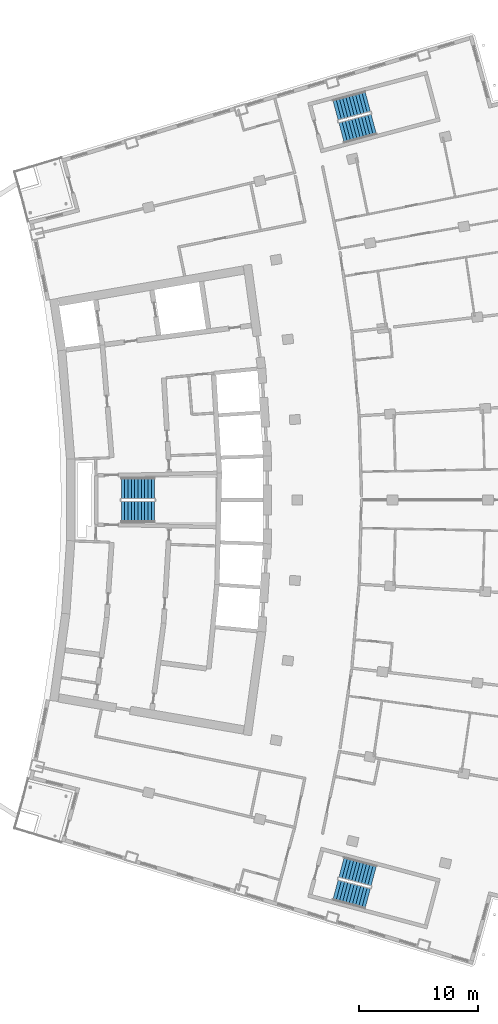
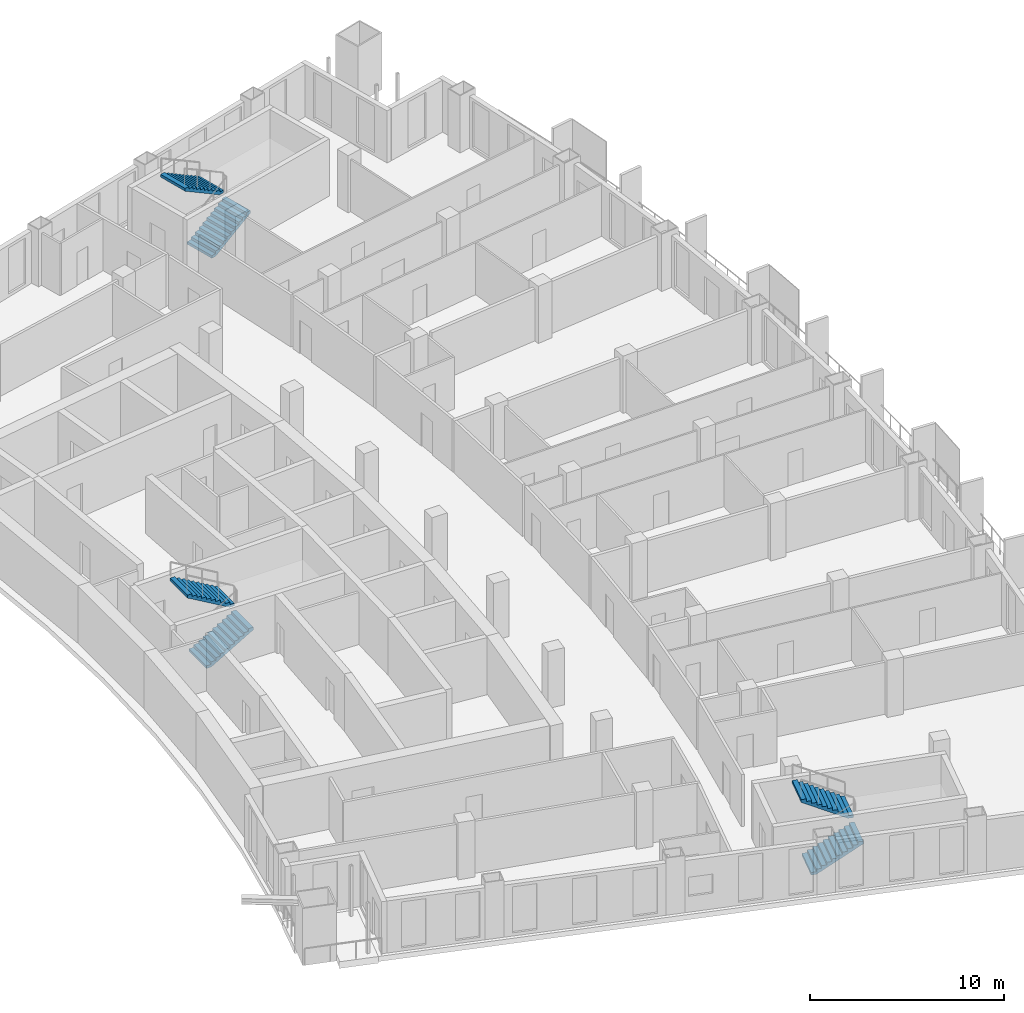
# One storey, part 17 of 20: 6 stair flights, 3 elements without a shape of their own.
"""IFC4 building model written with IfcOpenShell, lengths in metres."""

from ifc_helpers import new_model, si_unit, direction, frame, origin, place, context, subcontext, project, spatial, polyline, outline, extrude, material, layer, layer_set, type_object, element, aggregate, save


model = new_model("IFC4")

# Units and contexts
model_context = context("Model", 3, precision=1e-05, world=origin(), true_north=direction((0.0, 1.0)))
body_context = subcontext(model_context, "Body", "Model", "MODEL_VIEW")
ifc_project = project(units=[si_unit("LENGTHUNIT", "METRE"), si_unit("AREAUNIT", "SQUARE_METRE"), si_unit("VOLUMEUNIT", "CUBIC_METRE"), si_unit("PLANEANGLEUNIT", "RADIAN"), si_unit("MASSUNIT", "GRAM", prefix="KILO")], contexts=[model_context])

# Site, building, storey
site_placement = place(None, origin())
site = spatial("IfcSite", under=ifc_project, at=site_placement, CompositionType="ELEMENT")
building_placement = place(site_placement, origin())
building = spatial("IfcBuilding", under=site, at=building_placement, Name="Alderwake Tower", CompositionType="ELEMENT")
storey_placement = place(building_placement, frame((0.0, 0.0, 153.199951171875)))
storey = spatial("IfcBuildingStorey", under=building, at=storey_placement, Name="L37", CompositionType="ELEMENT", Elevation=153.199951171875)

# Stair, stair flights
ifc_material_1 = material(Name="Concrete C40/50", Category="concrete")
stair_type = type_object("IfcStairType", Name="Core exit stair", PredefinedType="HALF_TURN_STAIR", material=ifc_material_1)
stair_1_placement = place(storey_placement, origin())
stair_1 = element("IfcStair", 1, at=stair_1_placement, inside=storey, type_object=stair_type, Name="L37 Exit Stair B", PredefinedType="HALF_TURN_STAIR")
ifc_material_2 = material(Name="Concrete C40/50", Category="concrete")
ifc_layer = layer(ifc_material_2, 0.14990234375)
ifc_layer_set = layer_set([ifc_layer], Name="Core stair flight")
stair_flight_type = type_object("IfcStairFlightType", Name="Core stair flight", PredefinedType="STRAIGHT", material=ifc_layer_set)
stair_flight_1_placement = place(storey_placement, frame((21.0400390625, 60.02490234375, 0.0), z_axis=(0.0, 0.0, 1.0), x_axis=(1.0, 0.0, 0.0)))
stair_flight_1 = element("IfcStairFlight", 2, at=stair_flight_1_placement, type_object=stair_flight_type, Name="ST-B flight 1", NumberOfRisers=11, NumberOfTreads=10, PredefinedType="STRAIGHT", RiserHeight=0.163636364, TreadLength=0.28, context=body_context, shape_type="SweptSolid", body=[
    extrude(outline(polyline([(0.0, 0.0), (0.0, 0.16357421875), (0.280029296875, 0.16357421875), (0.280029296875, 0.327392578125), (0.56005859375, 0.327392578125), (0.56005859375, 0.490966796875), (0.840087890625, 0.490966796875), (0.840087890625, 0.654541015625), (1.1201171875, 0.654541015625), (1.1201171875, 0.818115234375), (1.39990234375, 0.818115234375), (1.39990234375, 0.98193359375), (1.679931640625, 0.98193359375), (1.679931640625, 1.1455078125), (1.9599609375, 1.1455078125), (1.9599609375, 1.30908203125), (2.239990234375, 1.30908203125), (2.239990234375, 1.47265625), (2.52001953125, 1.47265625), (2.52001953125, 1.636474609375), (2.800048828125, 1.636474609375), (2.800048828125, 1.800048828125), (2.800048828125, 1.462646484375), (0.297119140625, 0.0), (0.0, 0.0)])), frame((0.0, 0.89990234375, 0.0), z_axis=(0.0, -1.0, 0.0), x_axis=(1.0, 0.0, 0.0)), (0.0, 0.0, 1.0), 1.800048828125),
])
stair_flight_2_placement = place(storey_placement, frame((23.840087890625, 61.97509765625, 1.800048828125), z_axis=(0.0, 0.0, 1.0), x_axis=(-1.0, 0.0, 0.0)))
stair_flight_2 = element("IfcStairFlight", 3, at=stair_flight_2_placement, type_object=stair_flight_type, Name="ST-B flight 2", NumberOfRisers=11, NumberOfTreads=10, PredefinedType="STRAIGHT", RiserHeight=0.163636364, TreadLength=0.28, context=body_context, shape_type="SweptSolid", body=[
    extrude(outline(polyline([(0.0, 0.0), (0.0, 0.16357421875), (0.280029296875, 0.16357421875), (0.280029296875, 0.327392578125), (0.56005859375, 0.327392578125), (0.56005859375, 0.490966796875), (0.840087890625, 0.490966796875), (0.840087890625, 0.654541015625), (1.1201171875, 0.654541015625), (1.1201171875, 0.818115234375), (1.39990234375, 0.818115234375), (1.39990234375, 0.98193359375), (1.679931640625, 0.98193359375), (1.679931640625, 1.1455078125), (1.9599609375, 1.1455078125), (1.9599609375, 1.30908203125), (2.239990234375, 1.30908203125), (2.239990234375, 1.47265625), (2.52001953125, 1.47265625), (2.52001953125, 1.636474609375), (2.800048828125, 1.636474609375), (2.800048828125, 1.800048828125), (2.800048828125, 1.462646484375), (0.297119140625, 0.0), (0.0, 0.0)])), frame((0.0, 0.89990234375, 0.0), z_axis=(0.0, -1.0, 0.0), x_axis=(1.0, 0.0, 0.0)), (0.0, 0.0, 1.0), 1.800048828125),
])
aggregate(stair_1, [stair_flight_1, stair_flight_2])

stair_2_placement = place(storey_placement, origin())
stair_2 = element("IfcStair", 4, at=stair_2_placement, inside=storey, type_object=stair_type, Name="L37 Exit Stair A", PredefinedType="HALF_TURN_STAIR")
stair_flight_3_placement = place(storey_placement, frame((39.512939453125, 91.823974609375, 0.0), z_axis=(0.0, 0.0, 1.0), x_axis=(0.966309627437, 0.257382407951, 0.0)))
stair_flight_3 = element("IfcStairFlight", 5, at=stair_flight_3_placement, type_object=stair_flight_type, Name="ST-A flight 1", NumberOfRisers=11, NumberOfTreads=10, PredefinedType="STRAIGHT", RiserHeight=0.163636364, TreadLength=0.28, context=body_context, shape_type="SweptSolid", body=[
    extrude(outline(polyline([(0.0, 0.0), (0.0, 0.16357421875), (0.280029296875, 0.16357421875), (0.280029296875, 0.327392578125), (0.56005859375, 0.327392578125), (0.56005859375, 0.490966796875), (0.840087890625, 0.490966796875), (0.840087890625, 0.654541015625), (1.1201171875, 0.654541015625), (1.1201171875, 0.818115234375), (1.39990234375, 0.818115234375), (1.39990234375, 0.98193359375), (1.679931640625, 0.98193359375), (1.679931640625, 1.1455078125), (1.9599609375, 1.1455078125), (1.9599609375, 1.30908203125), (2.239990234375, 1.30908203125), (2.239990234375, 1.47265625), (2.52001953125, 1.47265625), (2.52001953125, 1.636474609375), (2.800048828125, 1.636474609375), (2.800048828125, 1.800048828125), (2.800048828125, 1.462646484375), (0.297119140625, 0.0), (0.0, 0.0)])), frame((0.0, 0.89990234375, 0.0), z_axis=(0.0, -1.0, 0.0), x_axis=(1.0, 0.0, 0.0)), (0.0, 0.0, 1.0), 1.800048828125),
])
stair_flight_4_placement = place(storey_placement, frame((41.716796875, 94.428955078125, 1.800048828125), z_axis=(0.0, 0.0, 1.0), x_axis=(-0.966309627437, -0.257382407951, 0.0)))
stair_flight_4 = element("IfcStairFlight", 6, at=stair_flight_4_placement, type_object=stair_flight_type, Name="ST-A flight 2", NumberOfRisers=11, NumberOfTreads=10, PredefinedType="STRAIGHT", RiserHeight=0.163636364, TreadLength=0.28, context=body_context, shape_type="SweptSolid", body=[
    extrude(outline(polyline([(0.0, 0.0), (0.0, 0.16357421875), (0.280029296875, 0.16357421875), (0.280029296875, 0.327392578125), (0.56005859375, 0.327392578125), (0.56005859375, 0.490966796875), (0.840087890625, 0.490966796875), (0.840087890625, 0.654541015625), (1.1201171875, 0.654541015625), (1.1201171875, 0.818115234375), (1.39990234375, 0.818115234375), (1.39990234375, 0.98193359375), (1.679931640625, 0.98193359375), (1.679931640625, 1.1455078125), (1.9599609375, 1.1455078125), (1.9599609375, 1.30908203125), (2.239990234375, 1.30908203125), (2.239990234375, 1.47265625), (2.52001953125, 1.47265625), (2.52001953125, 1.636474609375), (2.800048828125, 1.636474609375), (2.800048828125, 1.800048828125), (2.800048828125, 1.462646484375), (0.297119140625, 0.0), (0.0, 0.0)])), frame((0.0, 0.89990234375, 0.0), z_axis=(0.0, -1.0, 0.0), x_axis=(1.0, 0.0, 0.0)), (0.0, 0.0, 1.0), 1.800048828125),
])
aggregate(stair_2, [stair_flight_3, stair_flight_4])

stair_3_placement = place(storey_placement, origin())
stair_3 = element("IfcStair", 7, at=stair_3_placement, inside=storey, type_object=stair_type, Name="L37 Exit Stair C", PredefinedType="HALF_TURN_STAIR")
stair_flight_5_placement = place(storey_placement, frame((39.010986328125, 28.291748046875, 0.0), z_axis=(0.0, 0.0, 1.0), x_axis=(0.966309627437, -0.257382407951, 0.0)))
stair_flight_5 = element("IfcStairFlight", 8, at=stair_flight_5_placement, type_object=stair_flight_type, Name="ST-C flight 1", NumberOfRisers=11, NumberOfTreads=10, PredefinedType="STRAIGHT", RiserHeight=0.163636364, TreadLength=0.28, context=body_context, shape_type="SweptSolid", body=[
    extrude(outline(polyline([(0.0, 0.0), (0.0, 0.16357421875), (0.280029296875, 0.16357421875), (0.280029296875, 0.327392578125), (0.56005859375, 0.327392578125), (0.56005859375, 0.490966796875), (0.840087890625, 0.490966796875), (0.840087890625, 0.654541015625), (1.1201171875, 0.654541015625), (1.1201171875, 0.818115234375), (1.39990234375, 0.818115234375), (1.39990234375, 0.98193359375), (1.679931640625, 0.98193359375), (1.679931640625, 1.1455078125), (1.9599609375, 1.1455078125), (1.9599609375, 1.30908203125), (2.239990234375, 1.30908203125), (2.239990234375, 1.47265625), (2.52001953125, 1.47265625), (2.52001953125, 1.636474609375), (2.800048828125, 1.636474609375), (2.800048828125, 1.800048828125), (2.800048828125, 1.462646484375), (0.297119140625, 0.0), (0.0, 0.0)])), frame((0.0, 0.89990234375, 0.0), z_axis=(0.0, -1.0, 0.0), x_axis=(1.0, 0.0, 0.0)), (0.0, 0.0, 1.0), 1.800048828125),
])
stair_flight_6_placement = place(storey_placement, frame((42.218505859375, 29.455322265625, 1.800048828125), z_axis=(0.0, 0.0, 1.0), x_axis=(-0.966309627437, 0.257382407951, 0.0)))
stair_flight_6 = element("IfcStairFlight", 9, at=stair_flight_6_placement, type_object=stair_flight_type, Name="ST-C flight 2", NumberOfRisers=11, NumberOfTreads=10, PredefinedType="STRAIGHT", RiserHeight=0.163636364, TreadLength=0.28, context=body_context, shape_type="SweptSolid", body=[
    extrude(outline(polyline([(0.0, 0.0), (0.0, 0.16357421875), (0.280029296875, 0.16357421875), (0.280029296875, 0.327392578125), (0.56005859375, 0.327392578125), (0.56005859375, 0.490966796875), (0.840087890625, 0.490966796875), (0.840087890625, 0.654541015625), (1.1201171875, 0.654541015625), (1.1201171875, 0.818115234375), (1.39990234375, 0.818115234375), (1.39990234375, 0.98193359375), (1.679931640625, 0.98193359375), (1.679931640625, 1.1455078125), (1.9599609375, 1.1455078125), (1.9599609375, 1.30908203125), (2.239990234375, 1.30908203125), (2.239990234375, 1.47265625), (2.52001953125, 1.47265625), (2.52001953125, 1.636474609375), (2.800048828125, 1.636474609375), (2.800048828125, 1.800048828125), (2.800048828125, 1.462646484375), (0.297119140625, 0.0), (0.0, 0.0)])), frame((0.0, 0.89990234375, 0.0), z_axis=(0.0, -1.0, 0.0), x_axis=(1.0, 0.0, 0.0)), (0.0, 0.0, 1.0), 1.800048828125),
])
aggregate(stair_3, [stair_flight_5, stair_flight_6])

save(model, "model.ifc")
